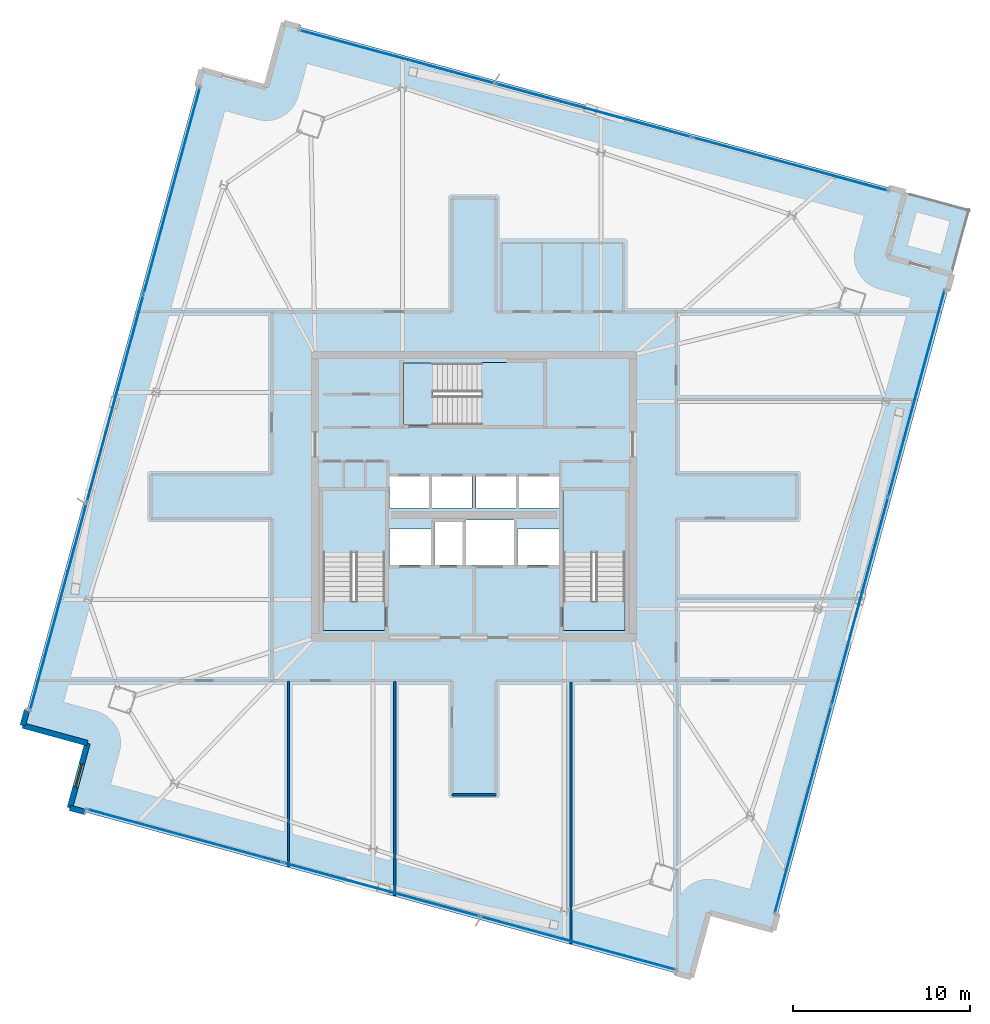
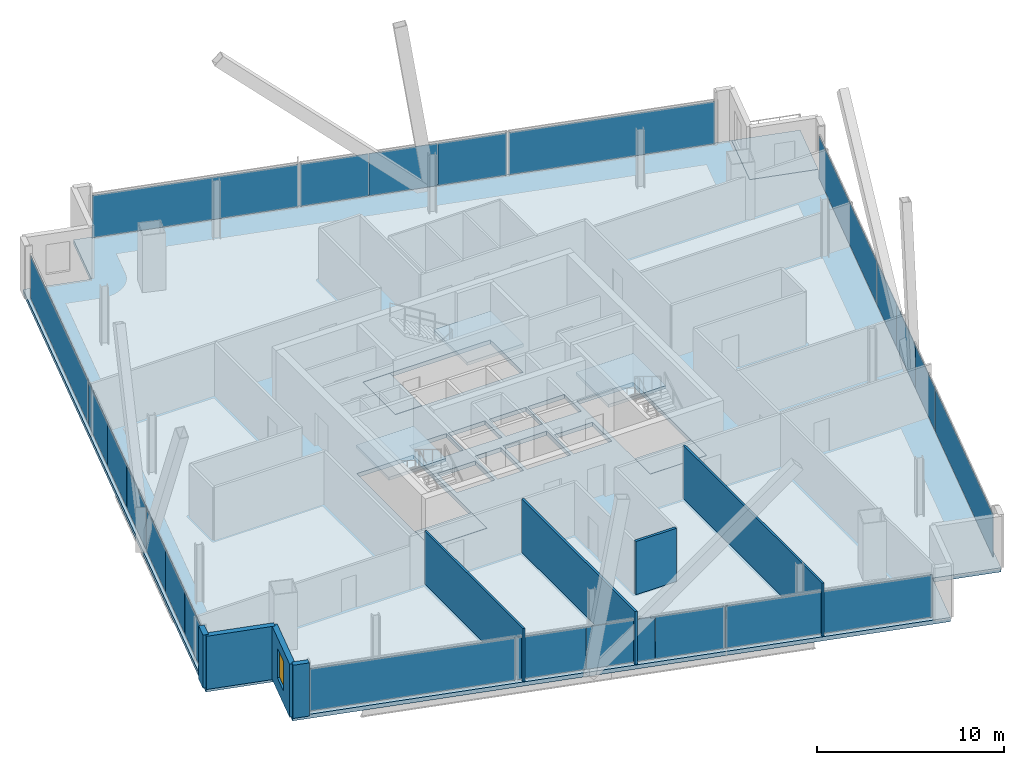
# One storey, part 19 of 26: 22 plates, 8 slabs, 8 walls, 1 window, 1 opening, 7 elements without a shape of their own.
"""IFC4 building model written with IfcOpenShell, lengths in metres."""

import ifcopenshell
import ifcopenshell.guid

model = None  # the IFC model being written
_history = None  # IfcOwnerHistory: only IFC2X3 demands one
_inside = {}  # id of a spatial element -> (the spatial element, [elements in it])
_under = {}  # id of a project, library or spatial element -> (it, [spatial elements below it])
_declared = {}  # id of a project -> (the project, [libraries it declares])
_typed = {}  # id of a type object -> (the type object, [elements of that type])
_made_of = {}  # id of a material, layer set ... -> (it, [elements and type objects made of it])


def new_model(schema):
    """Start an empty IFC model of exactly this schema.

    Asked for "IFC4X3", IfcOpenShell would pick the latest addendum, in which some entities
    have other attributes; the version numbers below select the first issue.
    IFC2X3 requires an IfcOwnerHistory on every rooted entity: one is made here for all.
    """
    global model, _history
    if schema == "IFC4X3":
        model = ifcopenshell.file(schema_version=(4, 3, 0, 0))
    else:
        model = ifcopenshell.file(schema=schema)
    _inside.clear()
    _under.clear()
    _declared.clear()
    _typed.clear()
    _made_of.clear()
    _history = None
    if model.schema == "IFC2X3":
        org = make("IfcOrganization", Name="unknown")
        user = make(
            "IfcPersonAndOrganization",
            ThePerson=make("IfcPerson", FamilyName="unknown"),
            TheOrganization=org,
        )
        app = make(
            "IfcApplication",
            ApplicationDeveloper=org,
            Version="unknown",
            ApplicationFullName="unknown",
            ApplicationIdentifier="unknown",
        )
        _history = make(
            "IfcOwnerHistory",
            OwningUser=user,
            OwningApplication=app,
            ChangeAction="ADDED",
            CreationDate=0,
        )
    return model


def make(cls, **values):
    """One entity of the class cls with the attributes given. An attribute that is None is left unset."""
    return model.create_entity(
        cls, **{name: value for name, value in values.items() if value is not None}
    )


def rooted(cls, **values):
    """An entity with a GlobalId (a new one), such as an element, a storey or a relation."""
    return make(cls, GlobalId=ifcopenshell.guid.new(), OwnerHistory=_history, **values)


def si_unit(unit_type, name, prefix=None):
    """IfcSIUnit, for example si_unit("LENGTHUNIT", "METRE", prefix="MILLI")."""
    return make("IfcSIUnit", UnitType=unit_type, Prefix=prefix, Name=name)


def assignment(units):
    """IfcUnitAssignment: the units of a project."""
    return None if units is None else make("IfcUnitAssignment", Units=units)


def point(xyz):
    """IfcCartesianPoint."""
    return None if xyz is None else make("IfcCartesianPoint", Coordinates=xyz)


def direction(xyz):
    """IfcDirection."""
    return None if xyz is None else make("IfcDirection", DirectionRatios=xyz)


def frame(location, z_axis=None, x_axis=None):
    """IfcAxis2Placement3D, a coordinate frame: its origin and axes. An axis left out is left unset."""
    return make(
        "IfcAxis2Placement3D",
        Location=point(location),
        Axis=direction(z_axis),
        RefDirection=direction(x_axis),
    )


def frame_2d(location, x_axis=None):
    """IfcAxis2Placement2D, a coordinate frame in the plane: its origin and x axis."""
    return make(
        "IfcAxis2Placement2D", Location=point(location), RefDirection=direction(x_axis)
    )


def origin():
    """The frame at (0, 0, 0) with its axes left unset."""
    return frame((0.0, 0.0, 0.0))


def origin_2d():
    """The frame at (0, 0) in the plane with its x axis left unset."""
    return frame_2d((0.0, 0.0))


def place(relative_to, where):
    """IfcLocalPlacement: puts the frame where relative to a parent placement (None: the world)."""
    return make(
        "IfcLocalPlacement", PlacementRelTo=relative_to, RelativePlacement=where
    )


def context(
    kind, dimensions, precision=None, world=None, true_north=None, identifier=None
):
    """IfcGeometricRepresentationContext, for example the 3D "Model" context."""
    return make(
        "IfcGeometricRepresentationContext",
        ContextIdentifier=identifier,
        ContextType=kind,
        CoordinateSpaceDimension=dimensions,
        Precision=precision,
        WorldCoordinateSystem=world,
        TrueNorth=true_north,
    )


def subcontext(parent, identifier, kind, view, scale=None):
    """IfcGeometricRepresentationSubContext, for example "Body" below "Model"."""
    return make(
        "IfcGeometricRepresentationSubContext",
        ContextIdentifier=identifier,
        ContextType=kind,
        ParentContext=parent,
        TargetScale=scale,
        TargetView=view,
    )


def project(units=None, contexts=None):
    """IfcProject with its units and contexts."""
    return rooted(
        "IfcProject",
        Name="project",
        RepresentationContexts=contexts,
        UnitsInContext=assignment(units),
    )


def spatial(cls, under=None, at=None, **own):
    """A site, building, storey or space (cls), placed at a placement, below another one or the project."""
    s = rooted(cls, ObjectPlacement=at, **own)
    if under is not None:
        _under.setdefault(under.id(), (under, []))[1].append(s)
    return s


def polyline(points):
    """IfcPolyline through the points."""
    return make("IfcPolyline", Points=[point(p) for p in points])


def profile(cls, at=None, kind="AREA", **sizes):
    """A parametric profile (cls). Its sizes go by their IFC names, for example OverallWidth=200.0."""
    return make(cls, ProfileType=kind, Position=at, **sizes)


def rectangle(**sizes):
    """IfcRectangleProfileDef."""
    return profile("IfcRectangleProfileDef", **sizes)


def outline(outer, holes=None, kind="AREA"):
    """IfcArbitraryClosedProfileDef: a profile drawn as a closed curve; with holes, ...WithVoids."""
    if holes is None:
        return make("IfcArbitraryClosedProfileDef", ProfileType=kind, OuterCurve=outer)
    return make(
        "IfcArbitraryProfileDefWithVoids",
        ProfileType=kind,
        OuterCurve=outer,
        InnerCurves=holes,
    )


def extrude(swept, where, along, depth):
    """IfcExtrudedAreaSolid: the profile swept, set in the frame where, extruded along a direction by depth."""
    return make(
        "IfcExtrudedAreaSolid",
        SweptArea=swept,
        Position=where,
        ExtrudedDirection=direction(along),
        Depth=depth,
    )


def shape(context_of_items, identifier, shape_type, items):
    """IfcShapeRepresentation: the items that make up one representation, for example the "Body"."""
    return make(
        "IfcShapeRepresentation",
        ContextOfItems=context_of_items,
        RepresentationIdentifier=identifier,
        RepresentationType=shape_type,
        Items=items,
    )


def source(mapping_origin, context_of_items, identifier, shape_type, items):
    """IfcRepresentationMap: a shape defined once, which mapped items show again and again."""
    return make(
        "IfcRepresentationMap",
        MappingOrigin=mapping_origin,
        MappedRepresentation=shape(context_of_items, identifier, shape_type, items),
    )


def transform(
    local_origin,
    x_axis=None,
    y_axis=None,
    z_axis=None,
    scale=None,
    scale2=None,
    scale3=None,
    uniform=True,
):
    """IfcCartesianTransformationOperator3D, or its non-uniform kind. x_axis, y_axis, z_axis: its Axis1, 2, 3."""
    if uniform:
        return make(
            "IfcCartesianTransformationOperator3D",
            Axis1=direction(x_axis),
            Axis2=direction(y_axis),
            LocalOrigin=point(local_origin),
            Scale=scale,
            Axis3=direction(z_axis),
        )
    return make(
        "IfcCartesianTransformationOperator3DnonUniform",
        Axis1=direction(x_axis),
        Axis2=direction(y_axis),
        LocalOrigin=point(local_origin),
        Scale=scale,
        Axis3=direction(z_axis),
        Scale2=scale2,
        Scale3=scale3,
    )


def mapped(mapping_source, mapping_target):
    """IfcMappedItem: shows the shape of a source again, moved by a transform."""
    return make(
        "IfcMappedItem", MappingSource=mapping_source, MappingTarget=mapping_target
    )


def material(Name=None, Category=None):
    """IfcMaterial."""
    return make("IfcMaterial", Name=Name, Category=Category)


def layer(
    of_material, thickness, ventilated=None, Name=None, Category=None, Priority=None
):
    """IfcMaterialLayer: one layer of a wall or slab, of a material (None: an air gap)."""
    return make(
        "IfcMaterialLayer",
        Material=of_material,
        LayerThickness=thickness,
        IsVentilated=ventilated,
        Name=Name,
        Category=Category,
        Priority=Priority,
    )


def layer_set(layers, Name=None):
    """IfcMaterialLayerSet."""
    return make("IfcMaterialLayerSet", MaterialLayers=layers, LayerSetName=Name)


def made_of(thing, what):
    """Note that an element or type object is made of a material, layer set ...; save() writes the relation."""
    if what is not None:
        _made_of.setdefault(what.id(), (what, []))[1].append(thing)
    return thing


def type_object(cls, material=None, **own):
    """A type object (cls), such as IfcWallType, which elements share."""
    return made_of(rooted(cls, **own), material)


def element(
    cls,
    number,
    at=None,
    inside=None,
    cuts=None,
    type_object=None,
    material=None,
    context=None,
    identifier="Body",
    shape_type=None,
    held_by="IfcProductDefinitionShape",
    body=None,
    shapes=None,
    **own,
):
    """One element of the class cls, such as IfcWall. Its Tag is "e" and its number.

    at: its placement. inside: the storey or other place that contains it. cuts: it is an
    opening in that element (IfcRelVoidsElement). A single representation is given by context,
    identifier, shape_type and body (its items); several are given by shapes. held_by: the class
    of the entity that holds the representations. save() writes the other relations.
    """
    e = rooted(cls, Tag="e%d" % number, ObjectPlacement=at, **own)
    if body is not None:
        shapes = [shape(context, identifier, shape_type, body)]
    if shapes is not None:
        e.Representation = make(held_by, Representations=shapes)
    if inside is not None:
        _inside.setdefault(inside.id(), (inside, []))[1].append(e)
    if cuts is not None:
        rooted(
            "IfcRelVoidsElement", RelatingBuildingElement=cuts, RelatedOpeningElement=e
        )
    if type_object is not None:
        _typed.setdefault(type_object.id(), (type_object, []))[1].append(e)
    return made_of(e, material)


def fill(opening, filler):
    """IfcRelFillsElement: the door or window that sits in an opening."""
    return rooted(
        "IfcRelFillsElement",
        RelatingOpeningElement=opening,
        RelatedBuildingElement=filler,
    )


def aggregate(whole, parts):
    """IfcRelAggregates: a whole, such as a stair, and the parts it consists of."""
    return rooted("IfcRelAggregates", RelatingObject=whole, RelatedObjects=parts)


def save(model, path):
    """Write the relations noted so far, then the file.

    IfcRelAggregates (storeys below a building ...), IfcRelContainedInSpatialStructure (elements
    in a storey), IfcRelDefinesByType, IfcRelAssociatesMaterial and IfcRelDeclares: one each for
    every whole, place, type object, material and project.
    """
    for whole, parts in _under.values():
        aggregate(whole, parts)
    for where, things in _inside.values():
        rooted(
            "IfcRelContainedInSpatialStructure",
            RelatedElements=things,
            RelatingStructure=where,
        )
    for kind, things in _typed.values():
        rooted("IfcRelDefinesByType", RelatedObjects=things, RelatingType=kind)
    for what, things in _made_of.values():
        rooted("IfcRelAssociatesMaterial", RelatedObjects=things, RelatingMaterial=what)
    for by, libraries in _declared.values():
        rooted("IfcRelDeclares", RelatingContext=by, RelatedDefinitions=libraries)
    model.write(path)


model = new_model("IFC4")

# Units and contexts
model_context = context("Model", 3, precision=1e-05, world=origin(), true_north=direction((0.0, 1.0)))
body_context = subcontext(model_context, "Body", "Model", "MODEL_VIEW")
ifc_project = project(units=[si_unit("LENGTHUNIT", "METRE"), si_unit("AREAUNIT", "SQUARE_METRE"), si_unit("VOLUMEUNIT", "CUBIC_METRE"), si_unit("PLANEANGLEUNIT", "RADIAN"), si_unit("MASSUNIT", "GRAM", prefix="KILO")], contexts=[model_context])

# Site, building, storey
site_placement = place(None, origin())
site = spatial("IfcSite", under=ifc_project, at=site_placement, CompositionType="ELEMENT")
building_placement = place(site_placement, origin())
building = spatial("IfcBuilding", under=site, at=building_placement, Name="Haldenkirk Collegiate Tower", CompositionType="ELEMENT")
storey_placement = place(building_placement, frame((0.0, 0.0, 278.699951171875)))
storey = spatial("IfcBuildingStorey", under=building, at=storey_placement, Name="L70", CompositionType="ELEMENT", Elevation=278.699951171875)

# Slab
ifc_material_1 = material(Name="Concrete f'c 40 MPa", Category="concrete")
ifc_layer_1 = layer(ifc_material_1, 0.27001953125)
ifc_layer_set_1 = layer_set([ifc_layer_1], Name="Concrete f'c 40 MPa")
slab_type_1 = type_object("IfcSlabType", Name="SLB-FLR-270", PredefinedType="FLOOR", material=ifc_layer_set_1)
slab_1_placement = place(storey_placement, frame((0.0, 0.0, -0.27001953125)))
element("IfcSlab", 1, at=slab_1_placement, inside=storey, type_object=slab_type_1, Name="L70 composite structural floor slab", PredefinedType="FLOOR", context=body_context, shape_type="SweptSolid", body=[
    extrude(outline(polyline([(52.9580078125, 1.42431640625), (63.084716796875, 38.568603515625), (59.41845703125, 39.568115234375), (60.41796875, 43.234130859375), (25.227294921875, 52.828125), (24.227783203125, 49.162109375), (20.5615234375, 50.16162109375), (10.434814453125, 13.017333984375), (14.10107421875, 12.017578125), (13.1015625, 8.3515625), (48.292236328125, -1.242431640625), (49.291748046875, 2.423583984375), (52.9580078125, 1.42431640625)]), holes=[polyline([(27.449951171875, 18.39990234375), (30.949951171875, 18.39990234375), (30.949951171875, 26.300048828125), (27.449951171875, 26.300048828125), (27.449951171875, 18.39990234375)]), polyline([(41.050048828125, 18.39990234375), (44.550048828125, 18.39990234375), (44.550048828125, 26.300048828125), (41.050048828125, 26.300048828125), (41.050048828125, 18.39990234375)]), polyline([(32.0, 30.050048828125), (39.89990234375, 30.050048828125), (39.89990234375, 33.550048828125), (32.0, 33.550048828125), (32.0, 30.050048828125)]), polyline([(33.75, 22.10009765625), (35.35009765625, 22.10009765625), (35.35009765625, 24.550048828125), (33.75, 24.550048828125), (33.75, 22.10009765625)]), polyline([(31.199951171875, 25.35009765625), (33.47998046875, 25.35009765625), (33.47998046875, 27.14990234375), (31.199951171875, 27.14990234375), (31.199951171875, 25.35009765625)]), polyline([(33.60009765625, 25.35009765625), (35.8798828125, 25.35009765625), (35.8798828125, 27.14990234375), (33.60009765625, 27.14990234375), (33.60009765625, 25.35009765625)]), polyline([(36.1201171875, 25.35009765625), (38.39990234375, 25.35009765625), (38.39990234375, 27.14990234375), (36.1201171875, 27.14990234375), (36.1201171875, 25.35009765625)]), polyline([(38.52001953125, 25.35009765625), (40.800048828125, 25.35009765625), (40.800048828125, 27.14990234375), (38.52001953125, 27.14990234375), (38.52001953125, 25.35009765625)]), polyline([(31.199951171875, 22.10009765625), (33.550048828125, 22.10009765625), (33.550048828125, 24.14990234375), (31.199951171875, 24.14990234375), (31.199951171875, 22.10009765625)]), polyline([(38.449951171875, 22.10009765625), (40.800048828125, 22.10009765625), (40.800048828125, 24.14990234375), (38.449951171875, 24.14990234375), (38.449951171875, 22.10009765625)]), polyline([(35.550048828125, 22.10009765625), (38.25, 22.10009765625), (38.25, 24.64990234375), (35.550048828125, 24.64990234375), (35.550048828125, 22.10009765625)])]), origin(), (0.0, 0.0, 1.0), 0.27001953125),
])

# Stair, slab
stair_type = type_object("IfcStairType", Name="STR-DOGLEG-1650", PredefinedType="HALF_TURN_STAIR", material=ifc_material_1)
stair_1_placement = place(storey_placement, origin())
stair_1 = element("IfcStair", 2, at=stair_1_placement, inside=storey, type_object=stair_type, Name="L70 Core Exit Stair ST-1", PredefinedType="HALF_TURN_STAIR")
ifc_layer_2 = layer(ifc_material_1, 0.199951171875)
ifc_layer_set_2 = layer_set([ifc_layer_2], Name="Concrete f'c 40 MPa")
slab_type_2 = type_object("IfcSlabType", Name="SLB-LANDING-200", PredefinedType="LANDING", material=ifc_layer_set_2)
slab_2_placement = place(storey_placement, frame((0.0, 0.0, 1.675048828125)))
slab_2 = element("IfcSlab", 3, at=slab_2_placement, type_object=slab_type_2, Name="ST-1 landing 1", PredefinedType="LANDING", context=body_context, shape_type="SweptSolid", body=[
    extrude(outline(polyline([(30.97509765625, 22.824951171875), (27.425048828125, 22.824951171875), (27.425048828125, 26.324951171875), (30.97509765625, 26.324951171875), (30.97509765625, 22.824951171875)])), origin(), (0.0, 0.0, 1.0), 0.199951171875),
])
aggregate(stair_1, [slab_2])

stair_2_placement = place(storey_placement, origin())
stair_2 = element("IfcStair", 4, at=stair_2_placement, inside=storey, type_object=stair_type, Name="L70 Core Exit Stair ST-2", PredefinedType="HALF_TURN_STAIR")
slab_3_placement = place(storey_placement, frame((0.0, 0.0, 1.675048828125)))
slab_3 = element("IfcSlab", 5, at=slab_3_placement, type_object=slab_type_2, Name="ST-2 landing 1", PredefinedType="LANDING", context=body_context, shape_type="SweptSolid", body=[
    extrude(outline(polyline([(44.574951171875, 22.824951171875), (41.02490234375, 22.824951171875), (41.02490234375, 26.324951171875), (44.574951171875, 26.324951171875), (44.574951171875, 22.824951171875)])), origin(), (0.0, 0.0, 1.0), 0.199951171875),
])
aggregate(stair_2, [slab_3])

stair_3_placement = place(storey_placement, origin())
stair_3 = element("IfcStair", 6, at=stair_3_placement, inside=storey, type_object=stair_type, Name="L70 Core Exit Stair ST-3", PredefinedType="HALF_TURN_STAIR")
slab_4_placement = place(storey_placement, frame((0.0, 0.0, 1.675048828125)))
slab_4 = element("IfcSlab", 7, at=slab_4_placement, type_object=slab_type_2, Name="ST-3 landing 1", PredefinedType="LANDING", context=body_context, shape_type="SweptSolid", body=[
    extrude(outline(polyline([(36.425048828125, 30.02490234375), (36.425048828125, 33.574951171875), (39.925048828125, 33.574951171875), (39.925048828125, 30.02490234375), (36.425048828125, 30.02490234375)])), origin(), (0.0, 0.0, 1.0), 0.199951171875),
])
aggregate(stair_3, [slab_4])

# Slabs
ifc_layer_3 = layer(ifc_material_1, 0.25)
ifc_layer_set_3 = layer_set([ifc_layer_3], Name="Concrete f'c 40 MPa")
slab_type_3 = type_object("IfcSlabType", Name="SLB-STAIRLAND-250", PredefinedType="LANDING", material=ifc_layer_set_3)
slab_5_placement = place(storey_placement, frame((0.0, 0.0, -0.25)))
element("IfcSlab", 8, at=slab_5_placement, inside=storey, type_object=slab_type_3, Name="L70 stair ST1 structural floor landing slab", PredefinedType="LANDING", context=body_context, shape_type="SweptSolid", body=[
    extrude(outline(polyline([(27.4599609375, 18.409912109375), (30.93994140625, 18.409912109375), (30.93994140625, 20.080078125), (27.4599609375, 20.080078125), (27.4599609375, 18.409912109375)])), origin(), (0.0, 0.0, 1.0), 0.25),
])
slab_6_placement = place(storey_placement, frame((0.0, 0.0, -0.25)))
element("IfcSlab", 9, at=slab_6_placement, inside=storey, type_object=slab_type_3, Name="L70 stair ST2 structural floor landing slab", PredefinedType="LANDING", context=body_context, shape_type="SweptSolid", body=[
    extrude(outline(polyline([(41.06005859375, 18.409912109375), (44.5400390625, 18.409912109375), (44.5400390625, 20.080078125), (41.06005859375, 20.080078125), (41.06005859375, 18.409912109375)])), origin(), (0.0, 0.0, 1.0), 0.25),
])
slab_7_placement = place(storey_placement, frame((0.0, 0.0, -0.25)))
element("IfcSlab", 10, at=slab_7_placement, inside=storey, type_object=slab_type_3, Name="L70 stair ST3 structural floor landing slab", PredefinedType="LANDING", context=body_context, shape_type="SweptSolid", body=[
    extrude(outline(polyline([(32.010009765625, 30.06005859375), (33.679931640625, 30.06005859375), (33.679931640625, 33.5400390625), (32.010009765625, 33.5400390625), (32.010009765625, 30.06005859375)])), origin(), (0.0, 0.0, 1.0), 0.25),
])
ifc_layer_4 = layer(ifc_material_1, 0.22998046875)
ifc_layer_set_4 = layer_set([ifc_layer_4], Name="Concrete f'c 40 MPa")
slab_type_4 = type_object("IfcSlabType", Name="SLB-TERR-SPIRAL-230", PredefinedType="FLOOR", material=ifc_layer_set_4)
slab_8_placement = place(storey_placement, frame((0.0, 0.0, -0.22998046875)))
element("IfcSlab", 11, at=slab_8_placement, inside=storey, type_object=slab_type_4, Name="L70 spiralling corner terrace slab", PredefinedType="FLOOR", context=body_context, shape_type="SweptSolid", body=[
    extrude(outline(polyline([(63.084716796875, 38.568603515625), (64.083984375, 42.234619140625), (60.41796875, 43.234130859375), (59.41845703125, 39.568115234375), (63.084716796875, 38.568603515625)])), origin(), (0.0, 0.0, 1.0), 0.22998046875),
])

# Curtain wall, plates
ifc_material_2 = material(Name="Anodised architectural bronze aluminium", Category="aluminium")
curtain_wall_type_1 = type_object("IfcCurtainWallType", Name="CW-SYS2-CONCAVE", PredefinedType="USERDEFINED", material=ifc_material_2)
curtain_wall_1_placement = place(storey_placement, origin())
curtain_wall_1 = element("IfcCurtainWall", 12, at=curtain_wall_1_placement, inside=storey, type_object=curtain_wall_type_1, Name="L70 South concave recessed bronze-anodised curtain wall", ObjectType="UNITISED CURTAIN WALL", PredefinedType="USERDEFINED")
ifc_material_3 = material(Name="Bronze-anodised insulated aluminium spandrel panel", Category="aluminium")
ifc_layer_5 = layer(ifc_material_3, 0.0419921875)
ifc_layer_set_5 = layer_set([ifc_layer_5], Name="Bronze-anodised insulated aluminium spandrel panel")
plate_type_1 = type_object("IfcPlateType", Name="CW-SPD-02", PredefinedType="CURTAIN_PANEL", material=ifc_layer_set_5)
shared_shape_1 = source(origin(), body_context, "Body", "SweptSolid", [
    extrude(rectangle(XDim=4.02783203125, YDim=0.0419921875, at=origin_2d()), origin(), (0.0, 0.0, 1.0), 2.7880859375),
])
plate_1_placement = place(storey_placement, frame((57.84765625, 20.043701171875, 0.074951171875), z_axis=(0.0, 0.0, 1.0), x_axis=(-0.263032558878, -0.964786957297, 0.0)))
plate_1 = element("IfcPlate", 13, at=plate_1_placement, type_object=plate_type_1, Name="CW-02 spandrel panel 2.1b", PredefinedType="CURTAIN_PANEL", context=body_context, shape_type="MappedRepresentation", body=[
    mapped(shared_shape_1, transform((0.0, 0.0, 0.0), x_axis=(1.0, 0.0, 0.0), y_axis=(0.0, 1.0, 0.0), z_axis=(0.0, 0.0, 1.0), scale=1.0)),
])
shared_shape_2 = source(origin(), body_context, "Body", "SweptSolid", [
    extrude(rectangle(XDim=4.040283203125, YDim=0.0419921875, at=origin_2d()), origin(), (0.0, 0.0, 1.0), 2.7880859375),
])
plate_2_placement = place(storey_placement, frame((58.915283203125, 23.959716796875, 0.074951171875), z_axis=(0.0, 0.0, 1.0), x_axis=(-0.263032558878, -0.964786957297, 0.0)))
plate_2 = element("IfcPlate", 14, at=plate_2_placement, type_object=plate_type_1, Name="CW-02 spandrel panel 2.1a", PredefinedType="CURTAIN_PANEL", context=body_context, shape_type="MappedRepresentation", body=[
    mapped(shared_shape_2, transform((0.0, 0.0, 0.0), x_axis=(1.0, 0.0, 0.0), y_axis=(0.0, 1.0, 0.0), z_axis=(0.0, 0.0, 1.0), scale=1.0)),
])
plate_3_placement = place(storey_placement, frame((56.77978515625, 16.127685546875, 0.074951171875), z_axis=(0.0, 0.0, 1.0), x_axis=(-0.263032558878, -0.964786957297, 0.0)))
plate_3 = element("IfcPlate", 15, at=plate_3_placement, type_object=plate_type_1, Name="CW-02 spandrel panel 2.1c", PredefinedType="CURTAIN_PANEL", context=body_context, shape_type="MappedRepresentation", body=[
    mapped(shared_shape_2, transform((0.0, 0.0, 0.0), x_axis=(1.0, 0.0, 0.0), y_axis=(0.0, 1.0, 0.0), z_axis=(0.0, 0.0, 1.0), scale=1.0)),
])

curtain_wall_type_2 = type_object("IfcCurtainWallType", Name="CW-SYS1B-CONVEX-HI", PredefinedType="USERDEFINED", material=ifc_material_2)
curtain_wall_2_placement = place(storey_placement, origin())
curtain_wall_2 = element("IfcCurtainWall", 16, at=curtain_wall_2_placement, inside=storey, type_object=curtain_wall_type_2, Name="L70 Upper tower high-wind convex bronze unitised curtain wall", ObjectType="UNITISED CURTAIN WALL", PredefinedType="USERDEFINED")
ifc_layer_6 = layer(ifc_material_3, 0.048095703125)
ifc_layer_set_6 = layer_set([ifc_layer_6], Name="Bronze-anodised insulated aluminium spandrel panel")
plate_type_2 = type_object("IfcPlateType", Name="CW-SPD-1B", PredefinedType="CURTAIN_PANEL", material=ifc_layer_set_6)
shared_shape_3 = source(origin(), body_context, "Body", "SweptSolid", [
    extrude(rectangle(XDim=3.81201171875, YDim=0.048095703125, at=origin_2d()), origin(), (0.0, 0.0, 1.0), 2.76806640625),
])
plate_4_placement = place(storey_placement, frame((39.07958984375, 48.864990234375, 0.0849609375), z_axis=(0.0, 0.0, 1.0), x_axis=(0.964787376797, -0.263031020173, 0.0)))
plate_4 = element("IfcPlate", 17, at=plate_4_placement, type_object=plate_type_2, Name="CW-1B spandrel panel 2.1a", PredefinedType="CURTAIN_PANEL", context=body_context, shape_type="MappedRepresentation", body=[
    mapped(shared_shape_3, transform((0.0, 0.0, 0.0), x_axis=(1.0, 0.0, 0.0), y_axis=(0.0, 1.0, 0.0), z_axis=(0.0, 0.0, 1.0), scale=1.0)),
])
plate_5_placement = place(storey_placement, frame((46.47119140625, 46.849853515625, 0.0849609375), z_axis=(0.0, 0.0, 1.0), x_axis=(0.964787376797, -0.263031020173, 0.0)))
plate_5 = element("IfcPlate", 18, at=plate_5_placement, type_object=plate_type_2, Name="CW-1B spandrel panel 2.1c", PredefinedType="CURTAIN_PANEL", context=body_context, shape_type="MappedRepresentation", body=[
    mapped(shared_shape_3, transform((0.0, 0.0, 0.0), x_axis=(1.0, 0.0, 0.0), y_axis=(0.0, 1.0, 0.0), z_axis=(0.0, 0.0, 1.0), scale=1.0)),
])

curtain_wall_3_placement = place(storey_placement, origin())
curtain_wall_3 = element("IfcCurtainWall", 19, at=curtain_wall_3_placement, inside=storey, type_object=curtain_wall_type_2, Name="L70 Upper tower high-wind convex bronze unitised curtain wall", ObjectType="UNITISED CURTAIN WALL", PredefinedType="USERDEFINED")
plate_6_placement = place(storey_placement, frame((34.43994140625, 2.720703125, 0.0849609375), z_axis=(0.0, 0.0, 1.0), x_axis=(-0.964787376797, 0.263031020173, 0.0)))
plate_6 = element("IfcPlate", 20, at=plate_6_placement, type_object=plate_type_2, Name="CW-1B spandrel panel 2.1a", PredefinedType="CURTAIN_PANEL", context=body_context, shape_type="MappedRepresentation", body=[
    mapped(shared_shape_3, transform((0.0, 0.0, 0.0), x_axis=(1.0, 0.0, 0.0), y_axis=(0.0, 1.0, 0.0), z_axis=(0.0, 0.0, 1.0), scale=1.0)),
])
plate_7_placement = place(storey_placement, frame((27.04833984375, 4.73583984375, 0.0849609375), z_axis=(0.0, 0.0, 1.0), x_axis=(-0.964787376797, 0.263031020173, 0.0)))
plate_7 = element("IfcPlate", 21, at=plate_7_placement, type_object=plate_type_2, Name="CW-1B spandrel panel 2.1c", PredefinedType="CURTAIN_PANEL", context=body_context, shape_type="MappedRepresentation", body=[
    mapped(shared_shape_3, transform((0.0, 0.0, 0.0), x_axis=(1.0, 0.0, 0.0), y_axis=(0.0, 1.0, 0.0), z_axis=(0.0, 0.0, 1.0), scale=1.0)),
])

# Plate
shared_shape_4 = source(origin(), body_context, "Body", "SweptSolid", [
    extrude(rectangle(XDim=3.79931640625, YDim=0.048095703125, at=origin_2d()), origin(), (0.0, 0.0, 1.0), 2.76806640625),
])
plate_8_placement = place(storey_placement, frame((42.775390625, 47.857421875, 0.0849609375), z_axis=(0.0, 0.0, 1.0), x_axis=(0.964787376797, -0.263031020173, 0.0)))
plate_8 = element("IfcPlate", 22, at=plate_8_placement, type_object=plate_type_2, Name="CW-1B spandrel panel 2.1b", PredefinedType="CURTAIN_PANEL", context=body_context, shape_type="MappedRepresentation", body=[
    mapped(shared_shape_4, transform((0.0, 0.0, 0.0), x_axis=(1.0, 0.0, 0.0), y_axis=(0.0, 1.0, 0.0), z_axis=(0.0, 0.0, 1.0), scale=1.0)),
])

plate_9_placement = place(storey_placement, frame((30.744140625, 3.728271484375, 0.0849609375), z_axis=(0.0, 0.0, 1.0), x_axis=(-0.964787376797, 0.263031020173, 0.0)))
plate_9 = element("IfcPlate", 23, at=plate_9_placement, type_object=plate_type_2, Name="CW-1B spandrel panel 2.1b", PredefinedType="CURTAIN_PANEL", context=body_context, shape_type="MappedRepresentation", body=[
    mapped(shared_shape_4, transform((0.0, 0.0, 0.0), x_axis=(1.0, 0.0, 0.0), y_axis=(0.0, 1.0, 0.0), z_axis=(0.0, 0.0, 1.0), scale=1.0)),
])

# Curtain wall, plates
curtain_wall_4_placement = place(storey_placement, origin())
curtain_wall_4 = element("IfcCurtainWall", 24, at=curtain_wall_4_placement, inside=storey, type_object=curtain_wall_type_2, Name="L70 Upper tower high-wind convex bronze unitised curtain wall", ObjectType="UNITISED CURTAIN WALL", PredefinedType="USERDEFINED")
ifc_material_4 = material(Name="Low-E argon triple insulating glass", Category="glass")
ifc_layer_7 = layer(ifc_material_4, 0.048095703125)
ifc_layer_set_7 = layer_set([ifc_layer_7], Name="Low-E argon triple insulating glass")
plate_type_3 = type_object("IfcPlateType", Name="CW-PNL-1B", PredefinedType="CURTAIN_PANEL", material=ifc_layer_set_7)
shared_shape_5 = source(origin(), body_context, "Body", "SweptSolid", [
    extrude(rectangle(XDim=4.022705078125, YDim=0.048095703125, at=origin_2d()), origin(), (0.0, 0.0, 1.0), 2.76806640625),
])
plate_10_placement = place(storey_placement, frame((11.396728515625, 15.86083984375, 0.0849609375), z_axis=(0.0, 0.0, 1.0), x_axis=(0.263032558878, 0.964786957297, 0.0)))
plate_10 = element("IfcPlate", 25, at=plate_10_placement, type_object=plate_type_3, Name="CW-1B panel 1.1a", PredefinedType="CURTAIN_PANEL", context=body_context, shape_type="MappedRepresentation", body=[
    mapped(shared_shape_5, transform((0.0, 0.0, 0.0), x_axis=(1.0, 0.0, 0.0), y_axis=(0.0, 1.0, 0.0), z_axis=(0.0, 0.0, 1.0), scale=1.0)),
])
plate_11_placement = place(storey_placement, frame((13.522705078125, 23.6591796875, 0.0849609375), z_axis=(0.0, 0.0, 1.0), x_axis=(0.263032558878, 0.964786957297, 0.0)))
plate_11 = element("IfcPlate", 26, at=plate_11_placement, type_object=plate_type_2, Name="CW-1B spandrel panel 1.1c", PredefinedType="CURTAIN_PANEL", context=body_context, shape_type="MappedRepresentation", body=[
    mapped(shared_shape_5, transform((0.0, 0.0, 0.0), x_axis=(1.0, 0.0, 0.0), y_axis=(0.0, 1.0, 0.0), z_axis=(0.0, 0.0, 1.0), scale=1.0)),
])
shared_shape_6 = source(origin(), body_context, "Body", "SweptSolid", [
    extrude(rectangle(XDim=4.01025390625, YDim=0.048095703125, at=origin_2d()), origin(), (0.0, 0.0, 1.0), 2.76806640625),
])
plate_12_placement = place(storey_placement, frame((12.459716796875, 19.760009765625, 0.0849609375), z_axis=(0.0, 0.0, 1.0), x_axis=(0.263032558878, 0.964786957297, 0.0)))
plate_12 = element("IfcPlate", 27, at=plate_12_placement, type_object=plate_type_3, Name="CW-1B panel 1.1b", PredefinedType="CURTAIN_PANEL", context=body_context, shape_type="MappedRepresentation", body=[
    mapped(shared_shape_6, transform((0.0, 0.0, 0.0), x_axis=(1.0, 0.0, 0.0), y_axis=(0.0, 1.0, 0.0), z_axis=(0.0, 0.0, 1.0), scale=1.0)),
])
shared_shape_7 = source(origin(), body_context, "Body", "SweptSolid", [
    extrude(rectangle(XDim=4.036865234375, YDim=0.048095703125, at=origin_2d()), origin(), (0.0, 0.0, 1.0), 2.76806640625),
])
plate_13_placement = place(storey_placement, frame((14.605224609375, 27.62939453125, 0.0849609375), z_axis=(0.0, 0.0, 1.0), x_axis=(0.263032558878, 0.964786957297, 0.0)))
plate_13 = element("IfcPlate", 28, at=plate_13_placement, type_object=plate_type_2, Name="CW-1B spandrel panel 2.1a", PredefinedType="CURTAIN_PANEL", context=body_context, shape_type="MappedRepresentation", body=[
    mapped(shared_shape_7, transform((0.0, 0.0, 0.0), x_axis=(1.0, 0.0, 0.0), y_axis=(0.0, 1.0, 0.0), z_axis=(0.0, 0.0, 1.0), scale=1.0)),
])
plate_14_placement = place(storey_placement, frame((16.73876953125, 35.455078125, 0.0849609375), z_axis=(0.0, 0.0, 1.0), x_axis=(0.263032558878, 0.964786957297, 0.0)))
plate_14 = element("IfcPlate", 29, at=plate_14_placement, type_object=plate_type_3, Name="CW-1B panel 2.1c", PredefinedType="CURTAIN_PANEL", context=body_context, shape_type="MappedRepresentation", body=[
    mapped(shared_shape_7, transform((0.0, 0.0, 0.0), x_axis=(1.0, 0.0, 0.0), y_axis=(0.0, 1.0, 0.0), z_axis=(0.0, 0.0, 1.0), scale=1.0)),
])
shared_shape_8 = source(origin(), body_context, "Body", "SweptSolid", [
    extrude(rectangle(XDim=4.0244140625, YDim=0.048095703125, at=origin_2d()), origin(), (0.0, 0.0, 1.0), 2.76806640625),
])
plate_15_placement = place(storey_placement, frame((15.672119140625, 31.542236328125, 0.0849609375), z_axis=(0.0, 0.0, 1.0), x_axis=(0.263032558878, 0.964786957297, 0.0)))
plate_15 = element("IfcPlate", 30, at=plate_15_placement, type_object=plate_type_3, Name="CW-1B panel 2.1b", PredefinedType="CURTAIN_PANEL", context=body_context, shape_type="MappedRepresentation", body=[
    mapped(shared_shape_8, transform((0.0, 0.0, 0.0), x_axis=(1.0, 0.0, 0.0), y_axis=(0.0, 1.0, 0.0), z_axis=(0.0, 0.0, 1.0), scale=1.0)),
])

# Plate
ifc_layer_8 = layer(ifc_material_4, 0.0419921875)
ifc_layer_set_8 = layer_set([ifc_layer_8], Name="Low-E argon triple insulating glass")
plate_type_4 = type_object("IfcPlateType", Name="CW-PNL-02", PredefinedType="CURTAIN_PANEL", material=ifc_layer_set_8)
shared_shape_9 = source(origin(), body_context, "Body", "SweptSolid", [
    extrude(rectangle(XDim=12.120849609375, YDim=0.0419921875, at=origin_2d()), origin(), (0.0, 0.0, 1.0), 2.7880859375),
])
plate_16_placement = place(storey_placement, frame((61.060302734375, 31.828125, 0.074951171875), z_axis=(0.0, 0.0, 1.0), x_axis=(-0.263032558878, -0.964786957297, 0.0)))
plate_16 = element("IfcPlate", 31, at=plate_16_placement, type_object=plate_type_4, Name="CW-02 panel 1.1", PredefinedType="CURTAIN_PANEL", context=body_context, shape_type="MappedRepresentation", body=[
    mapped(shared_shape_9, transform((0.0, 0.0, 0.0), x_axis=(1.0, 0.0, 0.0), y_axis=(0.0, 1.0, 0.0), z_axis=(0.0, 0.0, 1.0), scale=1.0)),
])

plate_17_placement = place(storey_placement, frame((54.634765625, 8.25927734375, 0.074951171875), z_axis=(0.0, 0.0, 1.0), x_axis=(-0.263032558878, -0.964786957297, 0.0)))
plate_17 = element("IfcPlate", 32, at=plate_17_placement, type_object=plate_type_4, Name="CW-02 panel 3.1", PredefinedType="CURTAIN_PANEL", context=body_context, shape_type="MappedRepresentation", body=[
    mapped(shared_shape_9, transform((0.0, 0.0, 0.0), x_axis=(1.0, 0.0, 0.0), y_axis=(0.0, 1.0, 0.0), z_axis=(0.0, 0.0, 1.0), scale=1.0)),
])

aggregate(curtain_wall_1, [plate_16, plate_2, plate_1, plate_3, plate_17])

shared_shape_10 = source(origin(), body_context, "Body", "SweptSolid", [
    extrude(rectangle(XDim=11.430908203125, YDim=0.048095703125, at=origin_2d()), origin(), (0.0, 0.0, 1.0), 2.76806640625),
])
plate_18_placement = place(storey_placement, frame((31.64453125, 50.89208984375, 0.0849609375), z_axis=(0.0, 0.0, 1.0), x_axis=(0.964787376797, -0.263031020173, 0.0)))
plate_18 = element("IfcPlate", 33, at=plate_18_placement, type_object=plate_type_3, Name="CW-1B panel 1.1", PredefinedType="CURTAIN_PANEL", context=body_context, shape_type="MappedRepresentation", body=[
    mapped(shared_shape_10, transform((0.0, 0.0, 0.0), x_axis=(1.0, 0.0, 0.0), y_axis=(0.0, 1.0, 0.0), z_axis=(0.0, 0.0, 1.0), scale=1.0)),
])

plate_19_placement = place(storey_placement, frame((53.90625, 44.822998046875, 0.0849609375), z_axis=(0.0, 0.0, 1.0), x_axis=(0.964787376797, -0.263031020173, 0.0)))
plate_19 = element("IfcPlate", 34, at=plate_19_placement, type_object=plate_type_3, Name="CW-1B panel 3.1", PredefinedType="CURTAIN_PANEL", context=body_context, shape_type="MappedRepresentation", body=[
    mapped(shared_shape_10, transform((0.0, 0.0, 0.0), x_axis=(1.0, 0.0, 0.0), y_axis=(0.0, 1.0, 0.0), z_axis=(0.0, 0.0, 1.0), scale=1.0)),
])

aggregate(curtain_wall_2, [plate_18, plate_4, plate_8, plate_5, plate_19])

plate_20_placement = place(storey_placement, frame((41.875, 0.693603515625, 0.0849609375), z_axis=(0.0, 0.0, 1.0), x_axis=(-0.964787376797, 0.263031020173, 0.0)))
plate_20 = element("IfcPlate", 35, at=plate_20_placement, type_object=plate_type_3, Name="CW-1B panel 1.1", PredefinedType="CURTAIN_PANEL", context=body_context, shape_type="MappedRepresentation", body=[
    mapped(shared_shape_10, transform((0.0, 0.0, 0.0), x_axis=(1.0, 0.0, 0.0), y_axis=(0.0, 1.0, 0.0), z_axis=(0.0, 0.0, 1.0), scale=1.0)),
])

plate_21_placement = place(storey_placement, frame((19.61328125, 6.7626953125, 0.0849609375), z_axis=(0.0, 0.0, 1.0), x_axis=(-0.964787376797, 0.263031020173, 0.0)))
plate_21 = element("IfcPlate", 36, at=plate_21_placement, type_object=plate_type_3, Name="CW-1B panel 3.1", PredefinedType="CURTAIN_PANEL", context=body_context, shape_type="MappedRepresentation", body=[
    mapped(shared_shape_10, transform((0.0, 0.0, 0.0), x_axis=(1.0, 0.0, 0.0), y_axis=(0.0, 1.0, 0.0), z_axis=(0.0, 0.0, 1.0), scale=1.0)),
])

aggregate(curtain_wall_3, [plate_20, plate_6, plate_9, plate_7, plate_21])

shared_shape_11 = source(origin(), body_context, "Body", "SweptSolid", [
    extrude(rectangle(XDim=12.10595703125, YDim=0.048095703125, at=origin_2d()), origin(), (0.0, 0.0, 1.0), 2.76806640625),
])
plate_22_placement = place(storey_placement, frame((18.884033203125, 43.32421875, 0.0849609375), z_axis=(0.0, 0.0, 1.0), x_axis=(0.263032558878, 0.964786957297, 0.0)))
plate_22 = element("IfcPlate", 37, at=plate_22_placement, type_object=plate_type_3, Name="CW-1B panel 3.1", PredefinedType="CURTAIN_PANEL", context=body_context, shape_type="MappedRepresentation", body=[
    mapped(shared_shape_11, transform((0.0, 0.0, 0.0), x_axis=(1.0, 0.0, 0.0), y_axis=(0.0, 1.0, 0.0), z_axis=(0.0, 0.0, 1.0), scale=1.0)),
])

aggregate(curtain_wall_4, [plate_10, plate_12, plate_11, plate_13, plate_15, plate_14, plate_22])

# Walls
ifc_material_5 = material(Name="Precast concrete f'c 40 MPa", Category="concrete")
ifc_layer_9 = layer(ifc_material_5, 0.320068359375)
ifc_layer_set_9 = layer_set([ifc_layer_9], Name="Precast concrete f'c 40 MPa")
wall_type_1 = type_object("IfcWallType", Name="WL-EXT-TWR-320", PredefinedType="STANDARD", material=ifc_layer_set_9)
wall_1_placement = place(storey_placement, frame((10.434814453125, 13.017333984375, 0.0), z_axis=(0.0, 0.0, 1.0), x_axis=(0.263163318206, 0.964751298496, 0.0)))
element("IfcWall", 38, at=wall_1_placement, inside=storey, type_object=wall_type_1, Name="L70 precast corner pier NL", PredefinedType="STANDARD", context=body_context, shape_type="SweptSolid", body=[
    extrude(rectangle(XDim=0.89990234375, YDim=0.320068359375, at=frame_2d((0.449951171875, 0.0))), origin(), (0.0, 0.0, 1.0), 3.47998046875),
])
wall_2_placement = place(storey_placement, frame((14.10107421875, 12.017578125, 0.0), z_axis=(0.0, 0.0, 1.0), x_axis=(-0.964772716199, 0.263084788762, 0.0)))
element("IfcWall", 39, at=wall_2_placement, inside=storey, type_object=wall_type_1, Name="L70 bronze precast notch wall 08", PredefinedType="STANDARD", context=body_context, shape_type="SweptSolid", body=[
    extrude(rectangle(XDim=3.800048828125, YDim=0.320068359375, at=frame_2d((1.89990234375, 0.0))), origin(), (0.0, 0.0, 1.0), 3.47998046875),
])

# Wall, opening, window
wall_3_placement = place(storey_placement, frame((13.1015625, 8.3515625, 0.0), z_axis=(0.0, 0.0, 1.0), x_axis=(0.263041292916, 0.964784576069, 0.0)))
wall_3 = element("IfcWall", 40, at=wall_3_placement, inside=storey, type_object=wall_type_1, Name="L70 bronze precast notch wall 09", PredefinedType="STANDARD", context=body_context, shape_type="SweptSolid", body=[
    extrude(rectangle(XDim=3.7998046875, YDim=0.320068359375, at=frame_2d((1.89990234375, 0.0))), origin(), (0.0, 0.0, 1.0), 3.47998046875),
])
opening_placement = place(wall_3_placement, frame((1.22509765625, 0.0, 0.85009765625)))
opening = element("IfcOpeningElement", 41, at=opening_placement, cuts=wall_3, Name="Opening W-07", PredefinedType="OPENING", context=body_context, shape_type="SweptSolid", body=[
    extrude(rectangle(XDim=1.35009765625, YDim=1.949951171875, at=frame_2d((0.675048828125, 0.97509765625))), frame((0.0, 0.169921875, 0.0), z_axis=(0.0, -1.0, 0.0), x_axis=(1.0, 0.0, 0.0)), (0.0, 0.0, 1.0), 0.340087890625),
])
ifc_layer_10 = layer(ifc_material_4, 0.090087890625)
ifc_layer_set_10 = layer_set([ifc_layer_10], Name="Low-E argon triple insulating glass")
window_type = type_object("IfcWindowType", Name="WN-Z5-1350X1950", PartitioningType="SINGLE_PANEL", PredefinedType="WINDOW", material=ifc_layer_set_10)
window_placement = place(opening_placement, origin())
window = element("IfcWindow", 42, at=window_placement, inside=storey, type_object=window_type, Name="L70 precast-frame academic window 8", OverallHeight=1.949951171875, OverallWidth=1.35009765625, PartitioningType="SINGLE_PANEL", PredefinedType="WINDOW", context=body_context, shape_type="SweptSolid", body=[
    extrude(rectangle(XDim=1.35009765625, YDim=1.949951171875, at=frame_2d((0.675048828125, 0.97509765625))), frame((0.0, 0.030029296875, 0.0), z_axis=(0.0, -1.0, 0.0), x_axis=(1.0, 0.0, 0.0)), (0.0, 0.0, 1.0), 0.06005859375),
])
fill(opening, window)

# Walls
wall_4_placement = place(storey_placement, frame((13.969970703125, 8.11474609375, 0.0), z_axis=(0.0, 0.0, 1.0), x_axis=(-0.964770080151, 0.263094455369, 0.0)))
element("IfcWall", 43, at=wall_4_placement, inside=storey, type_object=wall_type_1, Name="L70 precast corner pier WR", PredefinedType="STANDARD", context=body_context, shape_type="SweptSolid", body=[
    extrude(rectangle(XDim=0.900146484375, YDim=0.320068359375, at=frame_2d((0.4501953125, 0.0))), origin(), (0.0, 0.0, 1.0), 3.47998046875),
])
ifc_material_6 = material(Name="Acoustic fire-rated gypsum partition", Category="concrete")
ifc_layer_11 = layer(ifc_material_6, 0.159912109375)
ifc_layer_set_11 = layer_set([ifc_layer_11], Name="Acoustic fire-rated gypsum partition")
wall_type_2 = type_object("IfcWallType", Name="WL-INT-CORR-160", PredefinedType="PARTITIONING", material=ifc_layer_set_11)
wall_5_placement = place(storey_placement, frame((34.75, 9.10009765625, 0.0), z_axis=(0.0, 0.0, 1.0), x_axis=(1.0, 0.0, 0.0)))
element("IfcWall", 44, at=wall_5_placement, inside=storey, type_object=wall_type_2, Name="L70 interior partition IW-L70-SPS", PredefinedType="PARTITIONING", context=body_context, shape_type="SweptSolid", body=[
    extrude(rectangle(XDim=2.5, YDim=0.159912109375, at=frame_2d((1.25, 0.0))), origin(), (0.0, 0.0, 1.0), 3.47998046875),
])
ifc_layer_12 = layer(ifc_material_6, 0.139892578125)
ifc_layer_set_12 = layer_set([ifc_layer_12], Name="Acoustic fire-rated gypsum partition")
wall_type_3 = type_object("IfcWallType", Name="WL-INT-DIV-140", PredefinedType="PARTITIONING", material=ifc_layer_set_12)
wall_6_placement = place(storey_placement, frame((31.5, 3.376953125, 0.0), z_axis=(0.0, 0.0, 1.0), x_axis=(0.0, 1.0, 0.0)))
element("IfcWall", 45, at=wall_6_placement, inside=storey, type_object=wall_type_3, Name="L70 interior partition IW-L70-RS2", PredefinedType="PARTITIONING", context=body_context, shape_type="SweptSolid", body=[
    extrude(rectangle(XDim=12.173095703125, YDim=0.139892578125, at=frame_2d((6.08642578125, 0.0))), origin(), (0.0, 0.0, 1.0), 3.47998046875),
])
ifc_layer_13 = layer(ifc_material_6, 0.1201171875)
ifc_layer_set_13 = layer_set([ifc_layer_13], Name="Acoustic fire-rated gypsum partition")
wall_type_4 = type_object("IfcWallType", Name="WL-INT-WET-120", PredefinedType="PARTITIONING", material=ifc_layer_set_13)
wall_7_placement = place(storey_placement, frame((25.5, 5.0126953125, 0.0), z_axis=(0.0, 0.0, 1.0), x_axis=(0.0, 1.0, 0.0)))
element("IfcWall", 46, at=wall_7_placement, inside=storey, type_object=wall_type_4, Name="L70 interior partition IW-L70-RS1", PredefinedType="PARTITIONING", context=body_context, shape_type="SweptSolid", body=[
    extrude(rectangle(XDim=10.537353515625, YDim=0.1201171875, at=frame_2d((5.2685546875, 0.0))), origin(), (0.0, 0.0, 1.0), 3.47998046875),
])
wall_8_placement = place(storey_placement, frame((41.5, 0.650634765625, 0.0), z_axis=(0.0, 0.0, 1.0), x_axis=(0.0, 1.0, 0.0)))
element("IfcWall", 47, at=wall_8_placement, inside=storey, type_object=wall_type_4, Name="L70 interior partition IW-L70-RS3", PredefinedType="PARTITIONING", context=body_context, shape_type="SweptSolid", body=[
    extrude(rectangle(XDim=14.8994140625, YDim=0.1201171875, at=frame_2d((7.44970703125, 0.0))), origin(), (0.0, 0.0, 1.0), 3.47998046875),
])

save(model, "model.ifc")
